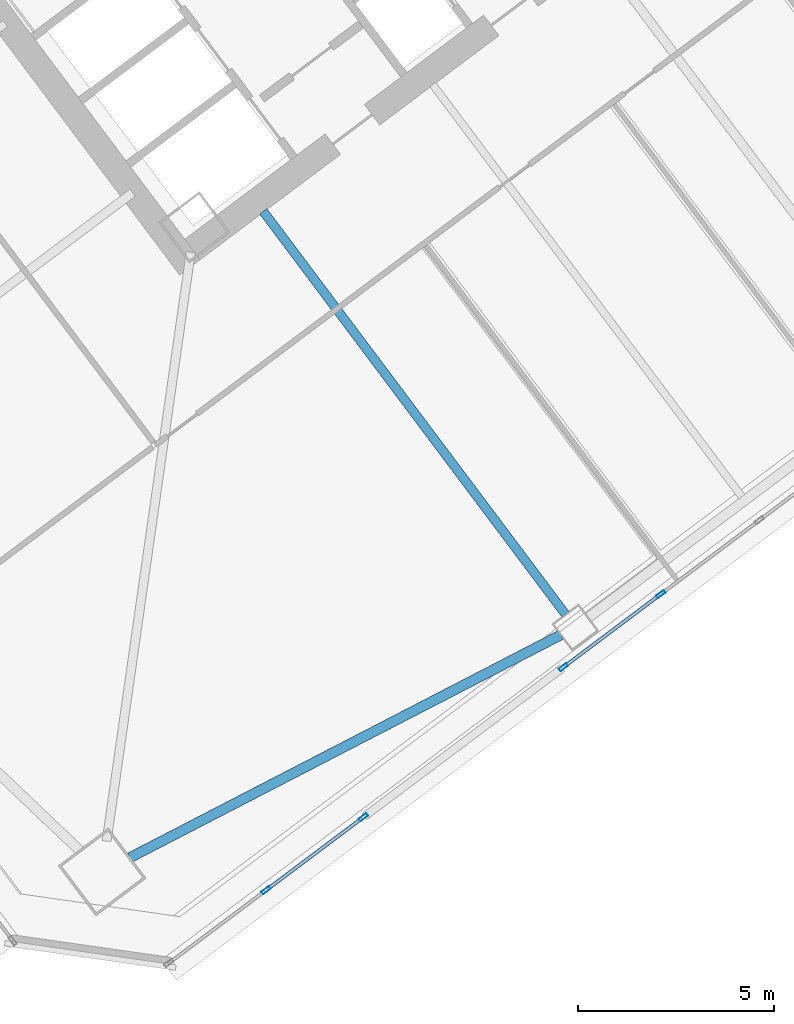
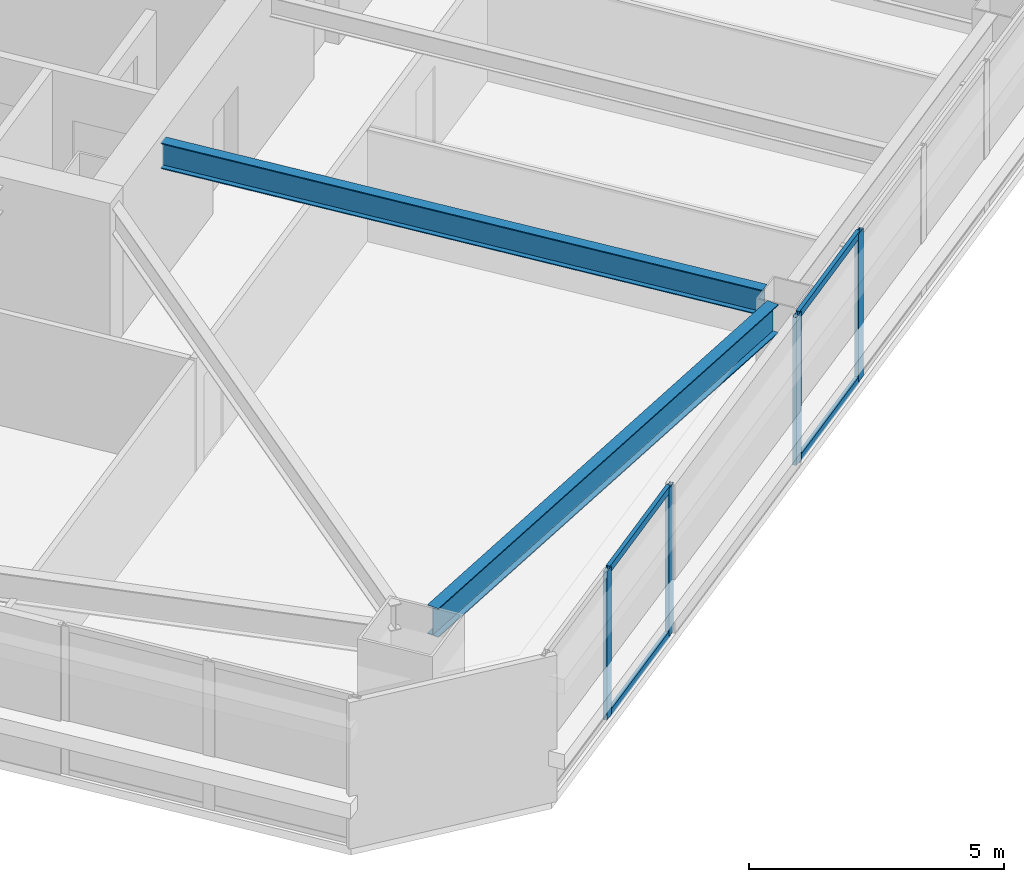
# One storey, part 23 of 47: 8 members, 2 beams, 2 elements without a shape of their own.
"""IFC4 building model written with IfcOpenShell, lengths in metres."""

from ifc_helpers import new_model, si_unit, direction, frame, origin, origin_2d, place, context, subcontext, project, spatial, hollow_rectangle, i_section, extrude, material, material_profile, profile_set, type_object, element, aggregate, save


model = new_model("IFC4")

# Units and contexts
model_context = context("Model", 3, precision=1e-05, world=origin(), true_north=direction((0.0, 1.0)))
body_context = subcontext(model_context, "Body", "Model", "MODEL_VIEW")
ifc_project = project(units=[si_unit("LENGTHUNIT", "METRE"), si_unit("AREAUNIT", "SQUARE_METRE"), si_unit("VOLUMEUNIT", "CUBIC_METRE"), si_unit("PLANEANGLEUNIT", "RADIAN"), si_unit("MASSUNIT", "GRAM", prefix="KILO")], contexts=[model_context])

# Site, building, storey
site_placement = place(None, origin())
site = spatial("IfcSite", under=ifc_project, at=site_placement, CompositionType="ELEMENT")
building_placement = place(site_placement, origin())
building = spatial("IfcBuilding", under=site, at=building_placement, Name="Tashvorn Skyway Center", CompositionType="ELEMENT")
storey_placement = place(building_placement, frame((0.0, 0.0, 42.35009765625)))
storey = spatial("IfcBuildingStorey", under=building, at=storey_placement, Name="L10", CompositionType="ELEMENT", Elevation=42.35009765625)

# Beams
ifc_material_1 = material(Name="Steel ASTM A992 Grade 50", Category="steel")
ifc_material_profile_1 = material_profile(ifc_material_1, i_section(OverallWidth=0.22998046875, OverallDepth=0.616943359375, WebThickness=0.01318359375, FlangeThickness=0.022216796875, at=origin_2d()), Name="W24X94")
ifc_profile_set_1 = profile_set([ifc_material_profile_1], Name="Steel ASTM A992 Grade 50")
beam_type_1 = type_object("IfcBeamType", Name="BM-BEAM-W24X94", PredefinedType="BEAM", material=ifc_profile_set_1)
beam_1_placement = place(storey_placement, frame((122.05810546875, 12.256103515625, 3.04150390625), z_axis=(-0.600018239213, 0.799986320265, 0.0), x_axis=(-0.799986320265, -0.600018239213, 0.0)))
element("IfcBeam", 1, at=beam_1_placement, inside=storey, type_object=beam_type_1, Name="Tower 2 L10 Primary Floor Girder FC-S1", PredefinedType="BEAM", context=body_context, shape_type="SweptSolid", body=[
    extrude(i_section(OverallWidth=0.22998046875, OverallDepth=0.616943359375, WebThickness=0.01318359375, FlangeThickness=0.022216796875, at=origin_2d()), origin(), (0.0, 0.0, 1.0), 12.849853515625),
])
ifc_material_profile_2 = material_profile(ifc_material_1, i_section(OverallWidth=0.256103515625, OverallDepth=0.693115234375, WebThickness=0.014404296875, FlangeThickness=0.023681640625, at=origin_2d()), Name="W27X114")
ifc_profile_set_2 = profile_set([ifc_material_profile_2], Name="Steel ASTM A992 Grade 50")
beam_type_2 = type_object("IfcBeamType", Name="BM-SPANDREL-W27X114", PredefinedType="SPANDREL", material=ifc_profile_set_2)
beam_2_placement = place(storey_placement, frame((110.9462890625, 6.045166015625, 3.00341796875), z_axis=(0.888315637339, 0.459233413919, 0.0), x_axis=(-0.459233413919, 0.888315637339, 0.0)))
element("IfcBeam", 2, at=beam_2_placement, inside=storey, type_object=beam_type_2, Name="Tower 2 L10 Spandrel Beam 01", PredefinedType="SPANDREL", context=body_context, shape_type="SweptSolid", body=[
    extrude(i_section(OverallWidth=0.256103515625, OverallDepth=0.693115234375, WebThickness=0.014404296875, FlangeThickness=0.023681640625, at=origin_2d()), origin(), (0.0, 0.0, 1.0), 12.37255859375),
])

# Curtain wall, members
ifc_material_2 = material(Name="Thermally broken bronze-anodized aluminium 6063-T6", Category="aluminium")
curtain_wall_type = type_object("IfcCurtainWallType", Name="CW-CW-Z1", PredefinedType="NOTDEFINED", material=ifc_material_2)
curtain_wall_1_placement = place(storey_placement, origin())
curtain_wall_1 = element("IfcCurtainWall", 3, at=curtain_wall_1_placement, inside=storey, type_object=curtain_wall_type, Name="Tower 2 L10 South Unitised Curtain Wall Glazing Group 2", PredefinedType="NOTDEFINED")
ifc_material_profile_3 = material_profile(ifc_material_2, hollow_rectangle(XDim=0.0849609375, YDim=0.239990234375, WallThickness=0.0048828125, at=origin_2d()), Name="ALU-MULL-85x240")
ifc_profile_set_3 = profile_set([ifc_material_profile_3], Name="Thermally broken bronze-anodized aluminium 6063-T6")
member_type_1 = type_object("IfcMemberType", Name="CWM-CW-Z1", PredefinedType="MULLION", material=ifc_profile_set_3)
member_1_placement = place(storey_placement, frame((124.49072265625, 12.76806640625, 0.0), z_axis=(0.0, 0.0, 1.0), x_axis=(0.599997457641, -0.800001906763, 0.0)))
member_1 = element("IfcMember", 4, at=member_1_placement, type_object=member_type_1, Name="CW-Z1 mullion 4", PredefinedType="MULLION", context=body_context, shape_type="SweptSolid", body=[
    extrude(hollow_rectangle(XDim=0.0849609375, YDim=0.239990234375, WallThickness=0.0048828125, at=origin_2d()), origin(), (0.0, 0.0, 1.0), 3.5498046875),
])
member_2_placement = place(storey_placement, frame((122.00732421875, 10.905517578125, 0.0), z_axis=(0.0, 0.0, 1.0), x_axis=(0.599997457641, -0.800001906763, 0.0)))
member_2 = element("IfcMember", 5, at=member_2_placement, type_object=member_type_1, Name="CW-Z1 mullion 5", PredefinedType="MULLION", context=body_context, shape_type="SweptSolid", body=[
    extrude(hollow_rectangle(XDim=0.0849609375, YDim=0.239990234375, WallThickness=0.0048828125, at=origin_2d()), origin(), (0.0, 0.0, 1.0), 3.5498046875),
])

curtain_wall_2_placement = place(storey_placement, origin())
curtain_wall_2 = element("IfcCurtainWall", 6, at=curtain_wall_2_placement, inside=storey, type_object=curtain_wall_type, Name="Tower 2 L10 South Unitised Curtain Wall Glazing Group 3", PredefinedType="NOTDEFINED")
member_3_placement = place(storey_placement, frame((116.90478515625, 7.07861328125, 0.0), z_axis=(0.0, 0.0, 1.0), x_axis=(0.599997457641, -0.800001906763, 0.0)))
member_3 = element("IfcMember", 7, at=member_3_placement, type_object=member_type_1, Name="CW-Z1 mullion 1", PredefinedType="MULLION", context=body_context, shape_type="SweptSolid", body=[
    extrude(hollow_rectangle(XDim=0.0849609375, YDim=0.239990234375, WallThickness=0.0048828125, at=origin_2d()), origin(), (0.0, 0.0, 1.0), 3.5498046875),
])
member_4_placement = place(storey_placement, frame((114.42138671875, 5.216064453125, 0.0), z_axis=(0.0, 0.0, 1.0), x_axis=(0.599997457641, -0.800001906763, 0.0)))
member_4 = element("IfcMember", 8, at=member_4_placement, type_object=member_type_1, Name="CW-Z1 mullion 2", PredefinedType="MULLION", context=body_context, shape_type="SweptSolid", body=[
    extrude(hollow_rectangle(XDim=0.0849609375, YDim=0.239990234375, WallThickness=0.0048828125, at=origin_2d()), origin(), (0.0, 0.0, 1.0), 3.5498046875),
])

# Member
ifc_material_profile_4 = material_profile(ifc_material_2, hollow_rectangle(XDim=0.0849609375, YDim=0.1650390625, WallThickness=0.0048828125, at=origin_2d()), Name="ALU-TRAN-85x165")
ifc_profile_set_4 = profile_set([ifc_material_profile_4], Name="Thermally broken bronze-anodized aluminium 6063-T6")
member_type_2 = type_object("IfcMemberType", Name="CWT-CW-Z1", PredefinedType="USERDEFINED", material=ifc_profile_set_4)
member_5_placement = place(storey_placement, frame((124.45654296875, 12.742431640625, 0.04248046875), z_axis=(-0.799990296182, -0.600012938206, 0.0), x_axis=(0.600012938206, -0.799990296182, 0.0)))
member_5 = element("IfcMember", 9, at=member_5_placement, type_object=member_type_2, Name="CW-Z1 transom 4.1", ObjectType="TRANSOM", PredefinedType="USERDEFINED", context=body_context, shape_type="SweptSolid", body=[
    extrude(hollow_rectangle(XDim=0.0849609375, YDim=0.1650390625, WallThickness=0.0048828125, at=origin_2d()), origin(), (0.0, 0.0, 1.0), 3.01904296875),
])

member_6_placement = place(storey_placement, frame((124.45654296875, 12.742431640625, 3.50732421875), z_axis=(-0.799990296182, -0.600012938206, 0.0), x_axis=(0.600012938206, -0.799990296182, 0.0)))
member_6 = element("IfcMember", 10, at=member_6_placement, type_object=member_type_2, Name="CW-Z1 transom 4.2", ObjectType="TRANSOM", PredefinedType="USERDEFINED", context=body_context, shape_type="SweptSolid", body=[
    extrude(hollow_rectangle(XDim=0.0849609375, YDim=0.1650390625, WallThickness=0.0048828125, at=origin_2d()), origin(), (0.0, 0.0, 1.0), 3.01904296875),
])

aggregate(curtain_wall_1, [member_1, member_2, member_5, member_6])

member_7_placement = place(storey_placement, frame((116.87060546875, 7.052978515625, 0.04248046875), z_axis=(-0.799990296182, -0.600012938206, 0.0), x_axis=(0.600012938206, -0.799990296182, 0.0)))
member_7 = element("IfcMember", 11, at=member_7_placement, type_object=member_type_2, Name="CW-Z1 transom 1.1", ObjectType="TRANSOM", PredefinedType="USERDEFINED", context=body_context, shape_type="SweptSolid", body=[
    extrude(hollow_rectangle(XDim=0.0849609375, YDim=0.1650390625, WallThickness=0.0048828125, at=origin_2d()), origin(), (0.0, 0.0, 1.0), 3.01904296875),
])

member_8_placement = place(storey_placement, frame((116.87060546875, 7.052978515625, 3.50732421875), z_axis=(-0.799990296182, -0.600012938206, 0.0), x_axis=(0.600012938206, -0.799990296182, 0.0)))
member_8 = element("IfcMember", 12, at=member_8_placement, type_object=member_type_2, Name="CW-Z1 transom 1.2", ObjectType="TRANSOM", PredefinedType="USERDEFINED", context=body_context, shape_type="SweptSolid", body=[
    extrude(hollow_rectangle(XDim=0.0849609375, YDim=0.1650390625, WallThickness=0.0048828125, at=origin_2d()), origin(), (0.0, 0.0, 1.0), 3.01904296875),
])

aggregate(curtain_wall_2, [member_3, member_4, member_7, member_8])

save(model, "model.ifc")
